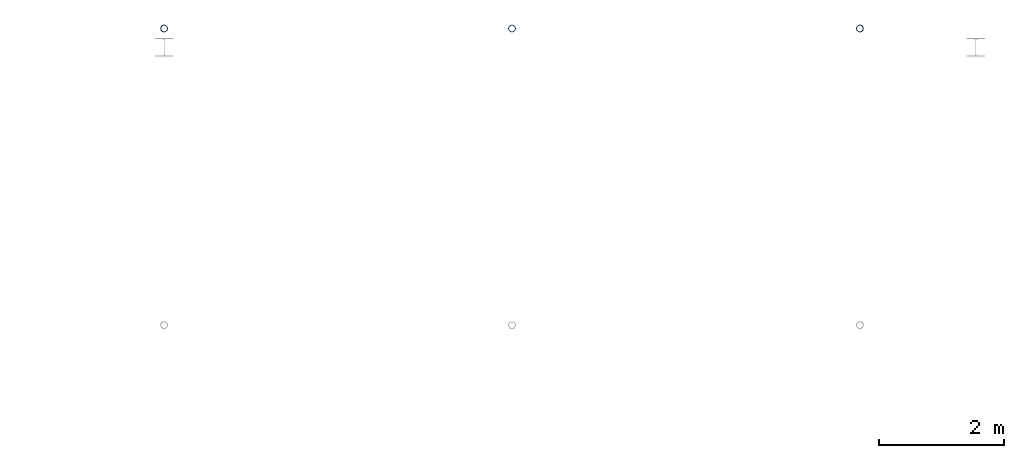
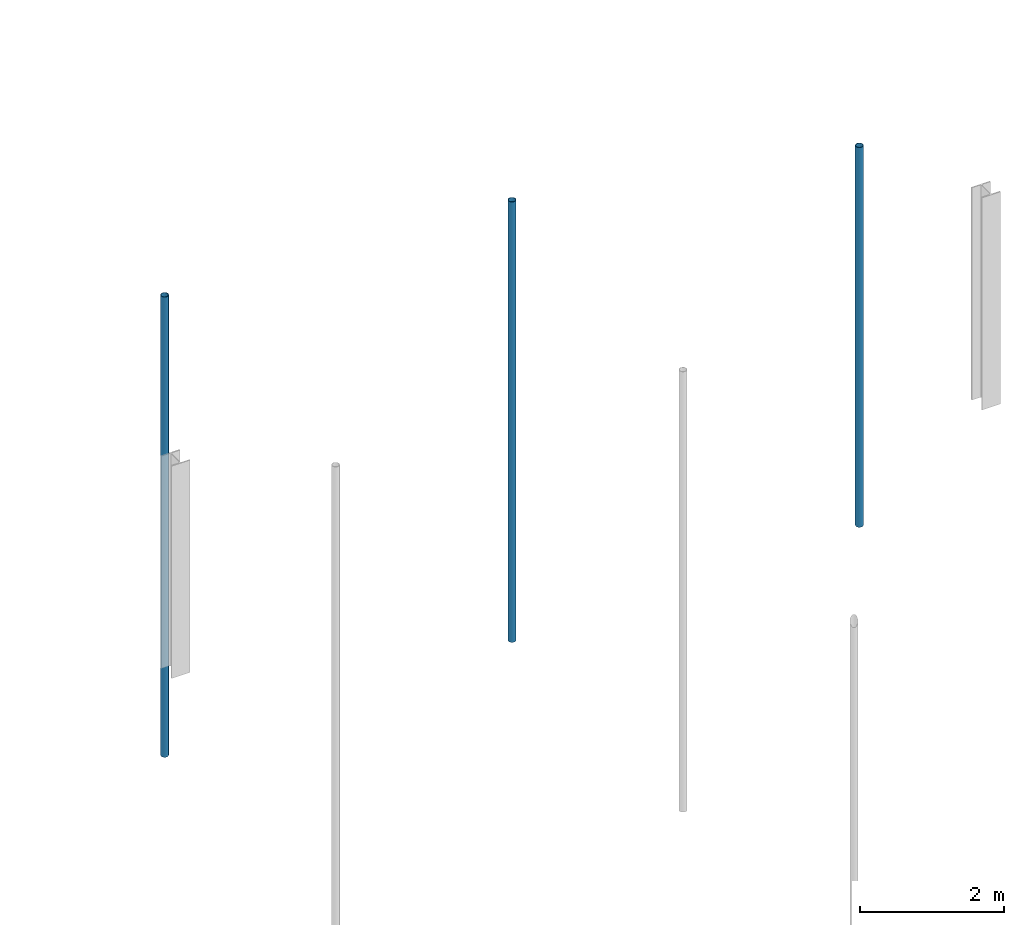
# One storey, part 24 of 50: 3 members.
"""IFC4 building model written with IfcOpenShell, lengths in metres."""

from ifc_helpers import new_model, si_unit, direction, frame, origin, origin_2d, place, context, subcontext, project, spatial, hollow_circle, extrude, material, material_profile, profile_set, type_object, element, save


model = new_model("IFC4")

# Units and contexts
model_context = context("Model", 3, precision=1e-05, world=origin(), true_north=direction((0.0, 1.0)))
body_context = subcontext(model_context, "Body", "Model", "MODEL_VIEW")
ifc_project = project(units=[si_unit("LENGTHUNIT", "METRE"), si_unit("AREAUNIT", "SQUARE_METRE"), si_unit("VOLUMEUNIT", "CUBIC_METRE"), si_unit("PLANEANGLEUNIT", "RADIAN"), si_unit("MASSUNIT", "GRAM", prefix="KILO")], contexts=[model_context])

# Site, building, storey
site_placement = place(None, origin())
site = spatial("IfcSite", under=ifc_project, at=site_placement, CompositionType="ELEMENT")
building_placement = place(site_placement, origin())
building = spatial("IfcBuilding", under=site, at=building_placement, Name="Elbe Cascade School", CompositionType="ELEMENT")
storey_placement = place(building_placement, frame((0.0, 0.0, 15.300048828125)))
storey = spatial("IfcBuildingStorey", under=building, at=storey_placement, Name="L04", CompositionType="ELEMENT", Elevation=15.300048828125)

# Members
ifc_material = material(Name="Steel S355J2H", Category="steel")
ifc_material_profile = material_profile(ifc_material, hollow_circle(Radius=0.05712890625, WallThickness=0.00634765625, at=origin_2d()), Name="CHS 114.3x6.3")
ifc_profile_set = profile_set([ifc_material_profile], Name="Steel S355J2H")
member_type = type_object("IfcMemberType", Name="Hall tie hanger CHS 114.3x6.3", PredefinedType="POST", material=ifc_profile_set)
member_1_placement = place(storey_placement, frame((34.0, 69.5, -1.623779296875), z_axis=(0.0, 0.0, 1.0), x_axis=(1.0, 0.0, 0.0)))
element("IfcMember", 1, at=member_1_placement, inside=storey, type_object=member_type, Name="Hall tie hanger CHS 114.3x6.3 M7", PredefinedType="POST", context=body_context, shape_type="SweptSolid", body=[
    extrude(hollow_circle(Radius=0.05712890625, WallThickness=0.00634765625, at=origin_2d()), origin(), (0.0, 0.0, 1.0), 7.80615234375),
])
member_2_placement = place(storey_placement, frame((39.571533203125, 69.5, -1.623779296875), z_axis=(0.0, 0.0, 1.0), x_axis=(1.0, 0.0, 0.0)))
element("IfcMember", 2, at=member_2_placement, inside=storey, type_object=member_type, Name="Hall tie hanger CHS 114.3x6.3 M7", PredefinedType="POST", context=body_context, shape_type="SweptSolid", body=[
    extrude(hollow_circle(Radius=0.05712890625, WallThickness=0.00634765625, at=origin_2d()), origin(), (0.0, 0.0, 1.0), 7.468505859375),
])
member_3_placement = place(storey_placement, frame((45.142822265625, 69.5, -1.623779296875), z_axis=(0.0, 0.0, 1.0), x_axis=(1.0, 0.0, 0.0)))
element("IfcMember", 3, at=member_3_placement, inside=storey, type_object=member_type, Name="Hall tie hanger CHS 114.3x6.3 M7", PredefinedType="POST", context=body_context, shape_type="SweptSolid", body=[
    extrude(hollow_circle(Radius=0.05712890625, WallThickness=0.00634765625, at=origin_2d()), origin(), (0.0, 0.0, 1.0), 6.4404296875),
])

save(model, "model.ifc")
